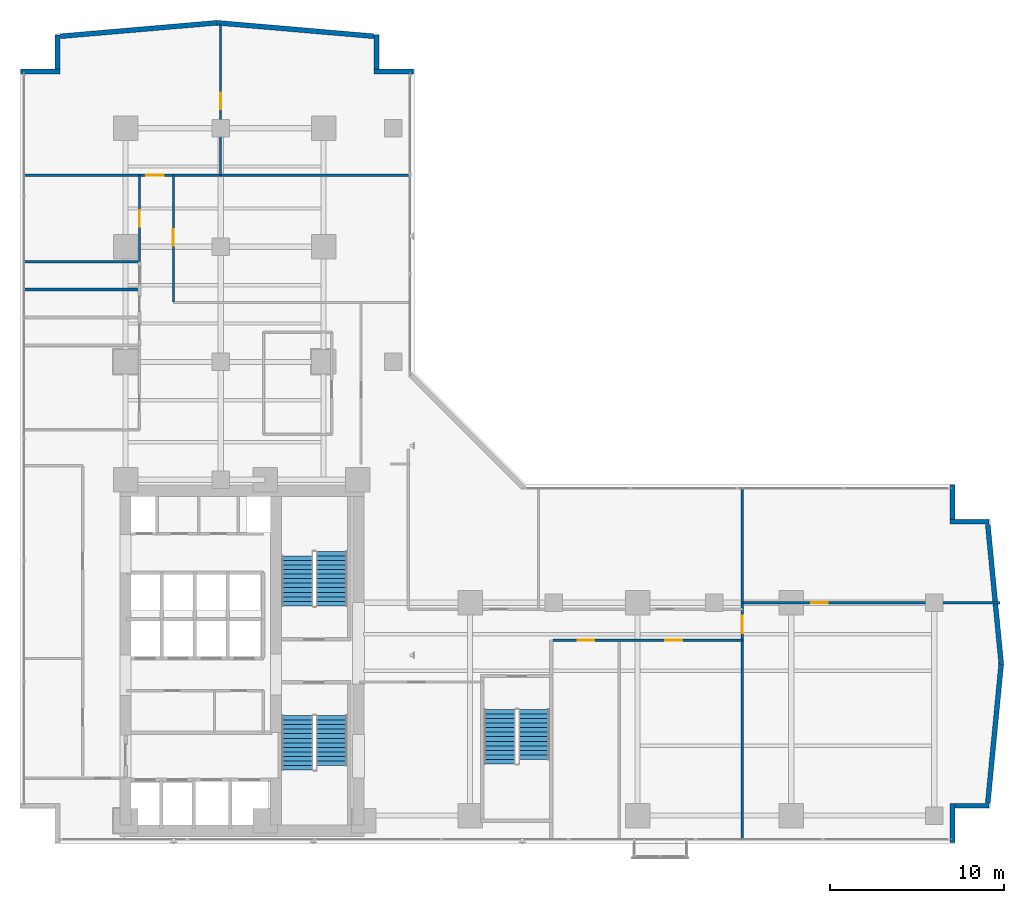
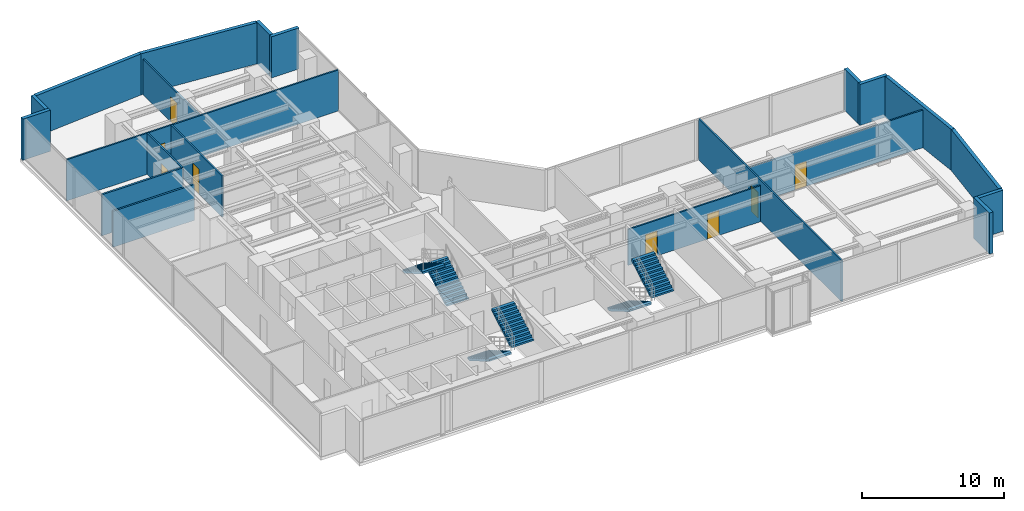
# One storey, part 22 of 28: 21 walls, 8 doors, 6 stair flights, 8 openings, 3 elements without a shape of their own.
"""IFC4 building model written with IfcOpenShell, lengths in metres."""

from ifc_helpers import new_model, si_unit, direction, frame, frame_2d, origin, place, context, subcontext, project, spatial, polyline, rectangle, outline, extrude, material, layer, layer_set, type_object, element, fill, aggregate, save


model = new_model("IFC4")

# Units and contexts
model_context = context("Model", 3, precision=1e-05, world=origin(), true_north=direction((0.0, 1.0)))
body_context = subcontext(model_context, "Body", "Model", "MODEL_VIEW")
ifc_project = project(units=[si_unit("LENGTHUNIT", "METRE"), si_unit("AREAUNIT", "SQUARE_METRE"), si_unit("VOLUMEUNIT", "CUBIC_METRE"), si_unit("PLANEANGLEUNIT", "RADIAN"), si_unit("MASSUNIT", "GRAM", prefix="KILO")], contexts=[model_context])

# Site, building, storey
site_placement = place(None, origin())
site = spatial("IfcSite", under=ifc_project, at=site_placement, CompositionType="ELEMENT")
building_placement = place(site_placement, origin())
building = spatial("IfcBuilding", under=site, at=building_placement, Name="Kolvaren Waterfront Exchange", CompositionType="ELEMENT")
storey_placement = place(building_placement, frame((0.0, 0.0, 133.5)))
storey = spatial("IfcBuildingStorey", under=building, at=storey_placement, Name="L34", CompositionType="ELEMENT", Elevation=133.5)

# Walls
ifc_material_1 = material(Name="Precast concrete C40/50", Category="concrete")
ifc_layer_1 = layer(ifc_material_1, 0.280029296875, Name="Precast concrete C40/50")
ifc_layer_set_1 = layer_set([ifc_layer_1], Name="Precast concrete C40/50")
wall_type_1 = type_object("IfcWallType", Name="ARC-EXT-TERR-280", PredefinedType="SOLIDWALL", material=ifc_layer_set_1)
wall_1_placement = place(storey_placement, frame((54.840087890625, 3.659912109375, 0.0), z_axis=(0.0, 0.0, 1.0), x_axis=(0.0, 1.0, 0.0)))
element("IfcWall", 1, at=wall_1_placement, inside=storey, type_object=wall_type_1, Name="L34 notched corner spandrel pier SE-A", PredefinedType="SOLIDWALL", context=body_context, shape_type="SweptSolid", body=[
    extrude(rectangle(XDim=2.239990234375, YDim=0.280029296875, at=frame_2d((1.1201171875, 0.0))), origin(), (0.0, 0.0, 1.0), 3.5400390625),
])
wall_2_placement = place(storey_placement, frame((54.97998046875, 5.760009765625, 0.0), z_axis=(0.0, 0.0, 1.0), x_axis=(1.0, 0.0, 0.0)))
element("IfcWall", 2, at=wall_2_placement, inside=storey, type_object=wall_type_1, Name="L34 notched corner spandrel pier SE-B", PredefinedType="SOLIDWALL", context=body_context, shape_type="SweptSolid", body=[
    extrude(rectangle(XDim=1.9599609375, YDim=0.280029296875, at=frame_2d((0.97998046875, 0.0))), origin(), (0.0, 0.0, 1.0), 3.5400390625),
])
wall_3_placement = place(storey_placement, frame((54.840087890625, 22.1650390625, 0.0), z_axis=(0.0, 0.0, 1.0), x_axis=(0.0, 1.0, 0.0)))
element("IfcWall", 3, at=wall_3_placement, inside=storey, type_object=wall_type_1, Name="L34 notched corner spandrel pier ENE-A", PredefinedType="SOLIDWALL", context=body_context, shape_type="SweptSolid", body=[
    extrude(rectangle(XDim=1.974853515625, YDim=0.280029296875, at=frame_2d((0.9873046875, 0.0))), origin(), (0.0, 0.0, 1.0), 3.5400390625),
])
for number, where, z_axis, x_axis, name in (
    (4, (54.699951171875, 22.0400390625, 0.0), (0.0, 0.0, 1.0), (1.0, 0.0, 0.0), "L34 notched corner spandrel pier ENE-B"),
    (5, (21.699951171875, 47.840087890625, 0.0), (0.0, 0.0, 1.0), (1.0, 0.0, 0.0), "L34 notched corner spandrel pier NNE-A"),
):
    element("IfcWall", number, at=place(storey_placement, frame(where, z_axis=z_axis, x_axis=x_axis)), inside=storey, type_object=wall_type_1, Name=name, PredefinedType="SOLIDWALL", context=body_context, shape_type="SweptSolid", body=[
        extrude(rectangle(XDim=2.239990234375, YDim=0.280029296875, at=frame_2d((1.1201171875, 0.0))), origin(), (0.0, 0.0, 1.0), 3.5400390625),
    ])
wall_4_placement = place(storey_placement, frame((21.840087890625, 47.97998046875, 0.0), z_axis=(0.0, 0.0, 1.0), x_axis=(0.0, 1.0, 0.0)))
element("IfcWall", 6, at=wall_4_placement, inside=storey, type_object=wall_type_1, Name="L34 notched corner spandrel pier NNE-B", PredefinedType="SOLIDWALL", context=body_context, shape_type="SweptSolid", body=[
    extrude(rectangle(XDim=1.9599609375, YDim=0.280029296875, at=frame_2d((0.97998046875, 0.0))), origin(), (0.0, 0.0, 1.0), 3.5400390625),
])
wall_5_placement = place(storey_placement, frame((1.4599609375, 47.840087890625, 0.0), z_axis=(0.0, 0.0, 1.0), x_axis=(1.0, 0.0, 0.0)))
element("IfcWall", 7, at=wall_5_placement, inside=storey, type_object=wall_type_1, Name="L34 notched corner spandrel pier NW-A", PredefinedType="SOLIDWALL", context=body_context, shape_type="SweptSolid", body=[
    extrude(rectangle(XDim=2.239990234375, YDim=0.280029296875, at=frame_2d((1.1201171875, 0.0))), origin(), (0.0, 0.0, 1.0), 3.5400390625),
])
wall_6_placement = place(storey_placement, frame((3.56005859375, 47.97998046875, 0.0), z_axis=(0.0, 0.0, 1.0), x_axis=(0.0, 1.0, 0.0)))
element("IfcWall", 8, at=wall_6_placement, inside=storey, type_object=wall_type_1, Name="L34 notched corner spandrel pier NW-B", PredefinedType="SOLIDWALL", context=body_context, shape_type="SweptSolid", body=[
    extrude(rectangle(XDim=1.9599609375, YDim=0.280029296875, at=frame_2d((0.97998046875, 0.0))), origin(), (0.0, 0.0, 1.0), 3.5400390625),
])
for number, where, z_axis, x_axis, name in (
    (9, (56.869384765625, 5.9140625, 0.0), (0.0, 0.0, 1.0), (0.095969995245, 0.995384227328, 0.0), "L34 east prow faceted facade wall 1"),
    (10, (57.638916015625, 13.904541015625, 0.0), (0.0, 0.0, 1.0), (-0.095969995245, 0.995384227328, 0.0), "L34 east prow faceted facade wall 2"),
):
    element("IfcWall", number, at=place(storey_placement, frame(where, z_axis=z_axis, x_axis=x_axis)), inside=storey, type_object=wall_type_1, Name=name, PredefinedType="SOLIDWALL", context=body_context, shape_type="SweptSolid", body=[
        extrude(rectangle(XDim=8.0185546875, YDim=0.280029296875, at=frame_2d((4.00927734375, 0.0))), origin(), (0.0, 0.0, 1.0), 3.5400390625),
    ])
for number, where, z_axis, x_axis, name in (
    (11, (21.6875, 49.8662109375, 0.0), (0.0, 0.0, 1.0), (-0.996319339243, 0.085719159179, 0.0), "L34 north prow faceted facade wall 1"),
    (12, (12.69384765625, 50.638916015625, 0.0), (0.0, 0.0, 1.0), (-0.996319339243, -0.085719159179, 0.0), "L34 north prow faceted facade wall 2"),
):
    element("IfcWall", number, at=place(storey_placement, frame(where, z_axis=z_axis, x_axis=x_axis)), inside=storey, type_object=wall_type_1, Name=name, PredefinedType="SOLIDWALL", context=body_context, shape_type="SweptSolid", body=[
        extrude(rectangle(XDim=9.014404296875, YDim=0.280029296875, at=frame_2d((4.50732421875, 0.0))), origin(), (0.0, 0.0, 1.0), 3.5400390625),
    ])

# Wall, openings, doors
ifc_material_2 = material(Name="Acoustic gypsum steel stud", Category="steel")
ifc_layer_2 = layer(ifc_material_2, 0.125, Name="Acoustic gypsum steel stud")
ifc_layer_set_2 = layer_set([ifc_layer_2], Name="Acoustic gypsum steel stud")
wall_type_2 = type_object("IfcWallType", Name="ARC-PART-125", PredefinedType="PARTITIONING", material=ifc_layer_set_2)
wall_7_placement = place(storey_placement, frame((31.949951171875, 15.25, 0.0), z_axis=(0.0, 0.0, 1.0), x_axis=(1.0, 0.0, 0.0)))
wall_7 = element("IfcWall", 13, at=wall_7_placement, inside=storey, type_object=wall_type_2, Name="L34 interior wall PW-L34-ES-CORR", PredefinedType="PARTITIONING", context=body_context, shape_type="SweptSolid", body=[
    extrude(rectangle(XDim=10.85009765625, YDim=0.125, at=frame_2d((5.425048828125, 0.0))), origin(), (0.0, 0.0, 1.0), 3.090087890625),
])
opening_1_placement = place(wall_7_placement, frame((1.425048828125, 0.0, 0.0)))
opening_1 = element("IfcOpeningElement", 14, at=opening_1_placement, cuts=wall_7, Name="Opening D02", PredefinedType="OPENING", context=body_context, shape_type="SweptSolid", body=[
    extrude(rectangle(XDim=0.949951171875, YDim=2.14990234375, at=frame_2d((0.47509765625, 1.074951171875))), frame((0.0, 0.072509765625, 0.0), z_axis=(0.0, -1.0, 0.0), x_axis=(1.0, 0.0, 0.0)), (0.0, 0.0, 1.0), 0.14501953125),
])
opening_2_placement = place(wall_7_placement, frame((6.4453125, 0.0, 0.0)))
opening_2 = element("IfcOpeningElement", 15, at=opening_2_placement, cuts=wall_7, Name="Opening D02", PredefinedType="OPENING", context=body_context, shape_type="SweptSolid", body=[
    extrude(rectangle(XDim=0.949951171875, YDim=2.14990234375, at=frame_2d((0.47509765625, 1.074951171875))), frame((0.0, 0.072509765625, 0.0), z_axis=(0.0, -1.0, 0.0), x_axis=(1.0, 0.0, 0.0)), (0.0, 0.0, 1.0), 0.14501953125),
])
ifc_material_3 = material(Name="Oak veneer acoustic timber", Category="wood")
door_type_1 = type_object("IfcDoorType", Name="ARC-DR-950", OperationType="NOTDEFINED", PredefinedType="DOOR", material=ifc_material_3)
door_1_placement = place(opening_1_placement, origin())
door_1 = element("IfcDoor", 16, at=door_1_placement, inside=storey, type_object=door_type_1, Name="L34 door DR-L34-ES-D-1 (D02)", OperationType="SINGLE_SWING_LEFT", OverallHeight=2.14990234375, OverallWidth=0.949951171875, PredefinedType="DOOR", context=body_context, shape_type="SweptSolid", body=[
    extrude(rectangle(XDim=0.949951171875, YDim=2.14990234375, at=frame_2d((0.47509765625, 1.074951171875))), frame((0.0, 0.02490234375, 0.0), z_axis=(0.0, -1.0, 0.0), x_axis=(1.0, 0.0, 0.0)), (0.0, 0.0, 1.0), 0.050048828125),
])
fill(opening_1, door_1)
door_2_placement = place(opening_2_placement, origin())
door_2 = element("IfcDoor", 17, at=door_2_placement, inside=storey, type_object=door_type_1, Name="L34 door DR-L34-ES-D-2 (D02)", OperationType="SINGLE_SWING_RIGHT", OverallHeight=2.14990234375, OverallWidth=0.949951171875, PredefinedType="DOOR", context=body_context, shape_type="SweptSolid", body=[
    extrude(rectangle(XDim=0.949951171875, YDim=2.14990234375, at=frame_2d((0.47509765625, 1.074951171875))), frame((0.0, 0.02490234375, 0.0), z_axis=(0.0, -1.0, 0.0), x_axis=(1.0, 0.0, 0.0)), (0.0, 0.0, 1.0), 0.050048828125),
])
fill(opening_2, door_2)

# Wall, opening, door
wall_8_placement = place(storey_placement, frame((42.800048828125, 3.840087890625, 0.0), z_axis=(0.0, 0.0, 1.0), x_axis=(0.0, 1.0, 0.0)))
wall_8 = element("IfcWall", 18, at=wall_8_placement, inside=storey, type_object=wall_type_2, Name="L34 interior wall PW-L34-ETIP-W", PredefinedType="PARTITIONING", context=body_context, shape_type="SweptSolid", body=[
    extrude(rectangle(XDim=20.119873046875, YDim=0.125, at=frame_2d((10.06005859375, 0.0))), origin(), (0.0, 0.0, 1.0), 3.5400390625),
])
opening_3_placement = place(wall_8_placement, frame((11.800048828125, 0.0, 0.0)))
opening_3 = element("IfcOpeningElement", 19, at=opening_3_placement, cuts=wall_8, Name="Opening D03", PredefinedType="OPENING", context=body_context, shape_type="SweptSolid", body=[
    extrude(rectangle(XDim=1.0, YDim=2.199951171875, at=frame_2d((0.5, 1.10009765625))), frame((0.0, 0.072509765625, 0.0), z_axis=(0.0, -1.0, 0.0), x_axis=(1.0, 0.0, 0.0)), (0.0, 0.0, 1.0), 0.14501953125),
])
ifc_material_4 = material(Name="Oak veneer accessible timber", Category="wood")
door_type_2 = type_object("IfcDoorType", Name="ARC-DR-1000", OperationType="NOTDEFINED", PredefinedType="DOOR", material=ifc_material_4)
door_3_placement = place(opening_3_placement, origin())
door_3 = element("IfcDoor", 20, at=door_3_placement, inside=storey, type_object=door_type_2, Name="L34 door DR-L34-ETIP1-D (D03)", OperationType="SINGLE_SWING_LEFT", OverallHeight=2.199951171875, OverallWidth=1.0, PredefinedType="DOOR", context=body_context, shape_type="SweptSolid", body=[
    extrude(rectangle(XDim=1.0, YDim=2.199951171875, at=frame_2d((0.5, 1.10009765625))), frame((0.0, 0.02490234375, 0.0), z_axis=(0.0, -1.0, 0.0), x_axis=(1.0, 0.0, 0.0)), (0.0, 0.0, 1.0), 0.050048828125),
])
fill(opening_3, door_3)

wall_9_placement = place(storey_placement, frame((42.800048828125, 17.39990234375, 0.0), z_axis=(0.0, 0.0, 1.0), x_axis=(1.0, 0.0, 0.0)))
wall_9 = element("IfcWall", 21, at=wall_9_placement, inside=storey, type_object=wall_type_2, Name="L34 interior wall PW-L34-ETIP-MID", PredefinedType="PARTITIONING", context=body_context, shape_type="SweptSolid", body=[
    extrude(rectangle(XDim=14.760009765625, YDim=0.125, at=frame_2d((7.3798828125, 0.0))), origin(), (0.0, 0.0, 1.0), 3.239990234375),
])
opening_4_placement = place(wall_9_placement, frame((3.956298828125, 0.0, 0.0)))
opening_4 = element("IfcOpeningElement", 22, at=opening_4_placement, cuts=wall_9, Name="Opening D02", PredefinedType="OPENING", context=body_context, shape_type="SweptSolid", body=[
    extrude(rectangle(XDim=0.949951171875, YDim=2.14990234375, at=frame_2d((0.47509765625, 1.074951171875))), frame((0.0, 0.072509765625, 0.0), z_axis=(0.0, -1.0, 0.0), x_axis=(1.0, 0.0, 0.0)), (0.0, 0.0, 1.0), 0.14501953125),
])
door_4_placement = place(opening_4_placement, origin())
door_4 = element("IfcDoor", 23, at=door_4_placement, inside=storey, type_object=door_type_1, Name="L34 door DR-L34-ETIP2-D (D02)", OperationType="SINGLE_SWING_RIGHT", OverallHeight=2.14990234375, OverallWidth=0.949951171875, PredefinedType="DOOR", context=body_context, shape_type="SweptSolid", body=[
    extrude(rectangle(XDim=0.949951171875, YDim=2.14990234375, at=frame_2d((0.47509765625, 1.074951171875))), frame((0.0, 0.02490234375, 0.0), z_axis=(0.0, -1.0, 0.0), x_axis=(1.0, 0.0, 0.0)), (0.0, 0.0, 1.0), 0.050048828125),
])
fill(opening_4, door_4)

wall_10_placement = place(storey_placement, frame((8.25, 36.949951171875, 0.0), z_axis=(0.0, 0.0, 1.0), x_axis=(0.0, 1.0, 0.0)))
wall_10 = element("IfcWall", 24, at=wall_10_placement, inside=storey, type_object=wall_type_2, Name="L34 interior wall PW-L34-NW-CORR", PredefinedType="PARTITIONING", context=body_context, shape_type="SweptSolid", body=[
    extrude(rectangle(XDim=4.949951171875, YDim=0.125, at=frame_2d((2.47509765625, 0.0))), origin(), (0.0, 0.0, 1.0), 3.5400390625),
])
opening_5_placement = place(wall_10_placement, frame((2.0, 0.0, 0.0)))
opening_5 = element("IfcOpeningElement", 25, at=opening_5_placement, cuts=wall_10, Name="Opening D02", PredefinedType="OPENING", context=body_context, shape_type="SweptSolid", body=[
    extrude(rectangle(XDim=0.949951171875, YDim=2.14990234375, at=frame_2d((0.47509765625, 1.074951171875))), frame((0.0, 0.072509765625, 0.0), z_axis=(0.0, -1.0, 0.0), x_axis=(1.0, 0.0, 0.0)), (0.0, 0.0, 1.0), 0.14501953125),
])
door_5_placement = place(opening_5_placement, origin())
door_5 = element("IfcDoor", 26, at=door_5_placement, inside=storey, type_object=door_type_1, Name="L34 door DR-L34-NW-D-1 (D02)", OperationType="SINGLE_SWING_LEFT", OverallHeight=2.14990234375, OverallWidth=0.949951171875, PredefinedType="DOOR", context=body_context, shape_type="SweptSolid", body=[
    extrude(rectangle(XDim=0.949951171875, YDim=2.14990234375, at=frame_2d((0.47509765625, 1.074951171875))), frame((0.0, 0.02490234375, 0.0), z_axis=(0.0, -1.0, 0.0), x_axis=(1.0, 0.0, 0.0)), (0.0, 0.0, 1.0), 0.050048828125),
])
fill(opening_5, door_5)

wall_11_placement = place(storey_placement, frame((1.639892578125, 41.89990234375, 0.0), z_axis=(0.0, 0.0, 1.0), x_axis=(1.0, 0.0, 0.0)))
wall_11 = element("IfcWall", 27, at=wall_11_placement, inside=storey, type_object=wall_type_2, Name="L34 interior wall PW-L34-NTIP-S", PredefinedType="PARTITIONING", context=body_context, shape_type="SweptSolid", body=[
    extrude(rectangle(XDim=22.1201171875, YDim=0.125, at=frame_2d((11.06005859375, 0.0))), origin(), (0.0, 0.0, 1.0), 3.5400390625),
])
opening_6_placement = place(wall_11_placement, frame((7.010009765625, 0.0, 0.0)))
opening_6 = element("IfcOpeningElement", 28, at=opening_6_placement, cuts=wall_11, Name="Opening D03", PredefinedType="OPENING", context=body_context, shape_type="SweptSolid", body=[
    extrude(rectangle(XDim=1.0, YDim=2.199951171875, at=frame_2d((0.5, 1.10009765625))), frame((0.0, 0.072509765625, 0.0), z_axis=(0.0, -1.0, 0.0), x_axis=(1.0, 0.0, 0.0)), (0.0, 0.0, 1.0), 0.14501953125),
])
door_6_placement = place(opening_6_placement, origin())
door_6 = element("IfcDoor", 29, at=door_6_placement, inside=storey, type_object=door_type_2, Name="L34 door DR-L34-NTIPW-D (D03)", OperationType="SINGLE_SWING_RIGHT", OverallHeight=2.199951171875, OverallWidth=1.0, PredefinedType="DOOR", context=body_context, shape_type="SweptSolid", body=[
    extrude(rectangle(XDim=1.0, YDim=2.199951171875, at=frame_2d((0.5, 1.10009765625))), frame((0.0, 0.02490234375, 0.0), z_axis=(0.0, -1.0, 0.0), x_axis=(1.0, 0.0, 0.0)), (0.0, 0.0, 1.0), 0.050048828125),
])
fill(opening_6, door_6)

wall_12_placement = place(storey_placement, frame((12.89990234375, 41.89990234375, 0.0), z_axis=(0.0, 0.0, 1.0), x_axis=(0.0, 1.0, 0.0)))
wall_12 = element("IfcWall", 30, at=wall_12_placement, inside=storey, type_object=wall_type_2, Name="L34 interior wall PW-L34-NTIP-DIV", PredefinedType="PARTITIONING", context=body_context, shape_type="SweptSolid", body=[
    extrude(rectangle(XDim=8.66015625, YDim=0.125, at=frame_2d((4.330078125, 0.0))), origin(), (0.0, 0.0, 1.0), 3.0400390625),
])
opening_7_placement = place(wall_12_placement, frame((3.77880859375, 0.0, 0.0)))
opening_7 = element("IfcOpeningElement", 31, at=opening_7_placement, cuts=wall_12, Name="Opening D02", PredefinedType="OPENING", context=body_context, shape_type="SweptSolid", body=[
    extrude(rectangle(XDim=0.949951171875, YDim=2.14990234375, at=frame_2d((0.47509765625, 1.074951171875))), frame((0.0, 0.072509765625, 0.0), z_axis=(0.0, -1.0, 0.0), x_axis=(1.0, 0.0, 0.0)), (0.0, 0.0, 1.0), 0.14501953125),
])
door_7_placement = place(opening_7_placement, origin())
door_7 = element("IfcDoor", 32, at=door_7_placement, inside=storey, type_object=door_type_1, Name="L34 door DR-L34-NTIPE-D (D02)", OperationType="SINGLE_SWING_LEFT", OverallHeight=2.14990234375, OverallWidth=0.949951171875, PredefinedType="DOOR", context=body_context, shape_type="SweptSolid", body=[
    extrude(rectangle(XDim=0.949951171875, YDim=2.14990234375, at=frame_2d((0.47509765625, 1.074951171875))), frame((0.0, 0.02490234375, 0.0), z_axis=(0.0, -1.0, 0.0), x_axis=(1.0, 0.0, 0.0)), (0.0, 0.0, 1.0), 0.050048828125),
])
fill(opening_7, door_7)

wall_13_placement = place(storey_placement, frame((10.18994140625, 34.64990234375, 0.0), z_axis=(0.0, 0.0, 1.0), x_axis=(0.0, 1.0, 0.0)))
wall_13 = element("IfcWall", 33, at=wall_13_placement, inside=storey, type_object=wall_type_2, Name="L34 interior wall PW-L34-NE-CORR", PredefinedType="PARTITIONING", context=body_context, shape_type="SweptSolid", body=[
    extrude(rectangle(XDim=7.25, YDim=0.125, at=frame_2d((3.625, 0.0))), origin(), (0.0, 0.0, 1.0), 3.5400390625),
])
opening_8_placement = place(wall_13_placement, frame((3.220458984375, 0.0, 0.0)))
opening_8 = element("IfcOpeningElement", 34, at=opening_8_placement, cuts=wall_13, Name="Opening D02", PredefinedType="OPENING", context=body_context, shape_type="SweptSolid", body=[
    extrude(rectangle(XDim=0.949951171875, YDim=2.14990234375, at=frame_2d((0.47509765625, 1.074951171875))), frame((0.0, 0.072509765625, 0.0), z_axis=(0.0, -1.0, 0.0), x_axis=(1.0, 0.0, 0.0)), (0.0, 0.0, 1.0), 0.14501953125),
])
door_8_placement = place(opening_8_placement, origin())
door_8 = element("IfcDoor", 35, at=door_8_placement, inside=storey, type_object=door_type_1, Name="L34 door DR-L34-NE-D-1 (D02)", OperationType="SINGLE_SWING_RIGHT", OverallHeight=2.14990234375, OverallWidth=0.949951171875, PredefinedType="DOOR", context=body_context, shape_type="SweptSolid", body=[
    extrude(rectangle(XDim=0.949951171875, YDim=2.14990234375, at=frame_2d((0.47509765625, 1.074951171875))), frame((0.0, 0.02490234375, 0.0), z_axis=(0.0, -1.0, 0.0), x_axis=(1.0, 0.0, 0.0)), (0.0, 0.0, 1.0), 0.050048828125),
])
fill(opening_8, door_8)

# Walls
ifc_material_5 = material(Name="Moisture-resistant gypsum stud")
ifc_layer_3 = layer(ifc_material_5, 0.14990234375, Name="Moisture-resistant gypsum stud")
ifc_layer_set_3 = layer_set([ifc_layer_3], Name="Moisture-resistant gypsum stud")
wall_type_3 = type_object("IfcWallType", Name="ARC-PLUMB-150", PredefinedType="PLUMBINGWALL", material=ifc_layer_set_3)
wall_14_placement = place(storey_placement, frame((1.639892578125, 35.35009765625, 0.0), z_axis=(0.0, 0.0, 1.0), x_axis=(1.0, 0.0, 0.0)))
element("IfcWall", 36, at=wall_14_placement, inside=storey, type_object=wall_type_3, Name="L34 interior wall PW-L34-WC-2", PredefinedType="PLUMBINGWALL", context=body_context, shape_type="SweptSolid", body=[
    extrude(rectangle(XDim=6.610107421875, YDim=0.14990234375, at=frame_2d((3.30517578125, 0.0))), origin(), (0.0, 0.0, 1.0), 3.090087890625),
])
wall_15_placement = place(storey_placement, frame((1.639892578125, 36.949951171875, 0.0), z_axis=(0.0, 0.0, 1.0), x_axis=(1.0, 0.0, 0.0)))
element("IfcWall", 37, at=wall_15_placement, inside=storey, type_object=wall_type_3, Name="L34 interior wall PW-L34-WC-3", PredefinedType="PLUMBINGWALL", context=body_context, shape_type="SweptSolid", body=[
    extrude(rectangle(XDim=6.610107421875, YDim=0.14990234375, at=frame_2d((3.30517578125, 0.0))), origin(), (0.0, 0.0, 1.0), 3.5400390625),
])

# Stair, stair flights
ifc_material_6 = material(Name="Concrete C40/50", Category="concrete")
stair_type = type_object("IfcStairType", Name="ARC-STAIR-3800", PredefinedType="HALF_TURN_STAIR", material=ifc_material_6)
stair_1_placement = place(storey_placement, origin())
stair_1 = element("IfcStair", 38, at=stair_1_placement, inside=storey, type_object=stair_type, Name="L34 Smoke-proof exit stair ST1", PredefinedType="HALF_TURN_STAIR")
stair_flight_type = type_object("IfcStairFlightType", Name="ARC-FLIGHT-3800", PredefinedType="STRAIGHT", material=ifc_material_6)
stair_flight_1_placement = place(storey_placement, frame((17.300048828125, 10.929931640625, 0.0), z_axis=(0.0, 0.0, 1.0), x_axis=(0.0, -1.0, 0.0)))
stair_flight_1 = element("IfcStairFlight", 39, at=stair_flight_1_placement, type_object=stair_flight_type, Name="ST1 flight 1", NumberOfRisers=13, NumberOfTreads=12, PredefinedType="STRAIGHT", RiserHeight=0.152, TreadLength=0.26, context=body_context, shape_type="SweptSolid", body=[
    extrude(outline(polyline([(0.0, 0.0), (0.0, 0.152099609375), (0.260009765625, 0.152099609375), (0.260009765625, 0.303955078125), (0.52001953125, 0.303955078125), (0.52001953125, 0.4560546875), (0.780029296875, 0.4560546875), (0.780029296875, 0.60791015625), (1.0400390625, 0.60791015625), (1.0400390625, 0.760009765625), (1.300048828125, 0.760009765625), (1.300048828125, 0.912109375), (1.56005859375, 0.912109375), (1.56005859375, 1.06396484375), (1.820068359375, 1.06396484375), (1.820068359375, 1.216064453125), (2.080078125, 1.216064453125), (2.080078125, 1.367919921875), (2.340087890625, 1.367919921875), (2.340087890625, 1.52001953125), (2.60009765625, 1.52001953125), (2.60009765625, 1.672119140625), (2.860107421875, 1.672119140625), (2.860107421875, 1.823974609375), (3.1201171875, 1.823974609375), (3.1201171875, 1.97607421875), (3.1201171875, 1.650390625), (0.297119140625, 0.0), (0.0, 0.0)])), frame((0.0, 0.89990234375, 0.0), z_axis=(0.0, -1.0, 0.0), x_axis=(1.0, 0.0, 0.0)), (0.0, 0.0, 1.0), 1.800048828125),
])
stair_flight_2_placement = place(storey_placement, frame((19.260009765625, 8.070068359375, 1.97607421875), z_axis=(0.0, 0.0, 1.0), x_axis=(0.0, 1.0, 0.0)))
stair_flight_2 = element("IfcStairFlight", 40, at=stair_flight_2_placement, type_object=stair_flight_type, Name="ST1 flight 2", NumberOfRisers=12, NumberOfTreads=11, PredefinedType="STRAIGHT", RiserHeight=0.152, TreadLength=0.26, context=body_context, shape_type="SweptSolid", body=[
    extrude(outline(polyline([(0.0, 0.0), (0.0, 0.152099609375), (0.260009765625, 0.152099609375), (0.260009765625, 0.303955078125), (0.52001953125, 0.303955078125), (0.52001953125, 0.4560546875), (0.780029296875, 0.4560546875), (0.780029296875, 0.60791015625), (1.0400390625, 0.60791015625), (1.0400390625, 0.760009765625), (1.300048828125, 0.760009765625), (1.300048828125, 0.912109375), (1.56005859375, 0.912109375), (1.56005859375, 1.06396484375), (1.820068359375, 1.06396484375), (1.820068359375, 1.216064453125), (2.080078125, 1.216064453125), (2.080078125, 1.367919921875), (2.340087890625, 1.367919921875), (2.340087890625, 1.52001953125), (2.60009765625, 1.52001953125), (2.60009765625, 1.672119140625), (2.860107421875, 1.672119140625), (2.860107421875, 1.823974609375), (2.860107421875, 1.498291015625), (0.297119140625, 0.0), (0.0, 0.0)])), frame((0.0, 0.89990234375, 0.0), z_axis=(0.0, -1.0, 0.0), x_axis=(1.0, 0.0, 0.0)), (0.0, 0.0, 1.0), 1.800048828125),
])
aggregate(stair_1, [stair_flight_1, stair_flight_2])

stair_2_placement = place(storey_placement, origin())
stair_2 = element("IfcStair", 41, at=stair_2_placement, inside=storey, type_object=stair_type, Name="L34 Smoke-proof exit stair ST2", PredefinedType="HALF_TURN_STAIR")
stair_flight_3_placement = place(storey_placement, frame((19.260009765625, 17.219970703125, 0.0), z_axis=(0.0, 0.0, 1.0), x_axis=(0.0, 1.0, 0.0)))
stair_flight_3 = element("IfcStairFlight", 42, at=stair_flight_3_placement, type_object=stair_flight_type, Name="ST2 flight 1", NumberOfRisers=13, NumberOfTreads=12, PredefinedType="STRAIGHT", RiserHeight=0.152, TreadLength=0.26, context=body_context, shape_type="SweptSolid", body=[
    extrude(outline(polyline([(0.0, 0.0), (0.0, 0.152099609375), (0.260009765625, 0.152099609375), (0.260009765625, 0.303955078125), (0.52001953125, 0.303955078125), (0.52001953125, 0.4560546875), (0.780029296875, 0.4560546875), (0.780029296875, 0.60791015625), (1.0400390625, 0.60791015625), (1.0400390625, 0.760009765625), (1.300048828125, 0.760009765625), (1.300048828125, 0.912109375), (1.56005859375, 0.912109375), (1.56005859375, 1.06396484375), (1.820068359375, 1.06396484375), (1.820068359375, 1.216064453125), (2.080078125, 1.216064453125), (2.080078125, 1.367919921875), (2.340087890625, 1.367919921875), (2.340087890625, 1.52001953125), (2.60009765625, 1.52001953125), (2.60009765625, 1.672119140625), (2.860107421875, 1.672119140625), (2.860107421875, 1.823974609375), (3.1201171875, 1.823974609375), (3.1201171875, 1.97607421875), (3.1201171875, 1.650390625), (0.297119140625, 0.0), (0.0, 0.0)])), frame((0.0, 0.89990234375, 0.0), z_axis=(0.0, -1.0, 0.0), x_axis=(1.0, 0.0, 0.0)), (0.0, 0.0, 1.0), 1.800048828125),
])
stair_flight_4_placement = place(storey_placement, frame((17.300048828125, 20.080078125, 1.97607421875), z_axis=(0.0, 0.0, 1.0), x_axis=(0.0, -1.0, 0.0)))
stair_flight_4 = element("IfcStairFlight", 43, at=stair_flight_4_placement, type_object=stair_flight_type, Name="ST2 flight 2", NumberOfRisers=12, NumberOfTreads=11, PredefinedType="STRAIGHT", RiserHeight=0.152, TreadLength=0.26, context=body_context, shape_type="SweptSolid", body=[
    extrude(outline(polyline([(0.0, 0.0), (0.0, 0.152099609375), (0.260009765625, 0.152099609375), (0.260009765625, 0.303955078125), (0.52001953125, 0.303955078125), (0.52001953125, 0.4560546875), (0.780029296875, 0.4560546875), (0.780029296875, 0.60791015625), (1.0400390625, 0.60791015625), (1.0400390625, 0.760009765625), (1.300048828125, 0.760009765625), (1.300048828125, 0.912109375), (1.56005859375, 0.912109375), (1.56005859375, 1.06396484375), (1.820068359375, 1.06396484375), (1.820068359375, 1.216064453125), (2.080078125, 1.216064453125), (2.080078125, 1.367919921875), (2.340087890625, 1.367919921875), (2.340087890625, 1.52001953125), (2.60009765625, 1.52001953125), (2.60009765625, 1.672119140625), (2.860107421875, 1.672119140625), (2.860107421875, 1.823974609375), (2.860107421875, 1.498291015625), (0.297119140625, 0.0), (0.0, 0.0)])), frame((0.0, 0.89990234375, 0.0), z_axis=(0.0, -1.0, 0.0), x_axis=(1.0, 0.0, 0.0)), (0.0, 0.0, 1.0), 1.800048828125),
])
aggregate(stair_2, [stair_flight_3, stair_flight_4])

stair_3_placement = place(storey_placement, origin())
stair_3 = element("IfcStair", 44, at=stair_3_placement, inside=storey, type_object=stair_type, Name="L34 Exit stair ST3", PredefinedType="HALF_TURN_STAIR")
stair_flight_5_placement = place(storey_placement, frame((28.89990234375, 11.280029296875, 0.0), z_axis=(0.0, 0.0, 1.0), x_axis=(0.0, -1.0, 0.0)))
stair_flight_5 = element("IfcStairFlight", 45, at=stair_flight_5_placement, type_object=stair_flight_type, Name="ST3 flight 1", NumberOfRisers=13, NumberOfTreads=12, PredefinedType="STRAIGHT", RiserHeight=0.152, TreadLength=0.26, context=body_context, shape_type="SweptSolid", body=[
    extrude(outline(polyline([(0.0, 0.0), (0.0, 0.152099609375), (0.260009765625, 0.152099609375), (0.260009765625, 0.303955078125), (0.52001953125, 0.303955078125), (0.52001953125, 0.4560546875), (0.780029296875, 0.4560546875), (0.780029296875, 0.60791015625), (1.0400390625, 0.60791015625), (1.0400390625, 0.760009765625), (1.300048828125, 0.760009765625), (1.300048828125, 0.912109375), (1.56005859375, 0.912109375), (1.56005859375, 1.06396484375), (1.820068359375, 1.06396484375), (1.820068359375, 1.216064453125), (2.080078125, 1.216064453125), (2.080078125, 1.367919921875), (2.340087890625, 1.367919921875), (2.340087890625, 1.52001953125), (2.60009765625, 1.52001953125), (2.60009765625, 1.672119140625), (2.860107421875, 1.672119140625), (2.860107421875, 1.823974609375), (3.1201171875, 1.823974609375), (3.1201171875, 1.97607421875), (3.1201171875, 1.650390625), (0.297119140625, 0.0), (0.0, 0.0)])), frame((0.0, 0.89990234375, 0.0), z_axis=(0.0, -1.0, 0.0), x_axis=(1.0, 0.0, 0.0)), (0.0, 0.0, 1.0), 1.800048828125),
])
stair_flight_6_placement = place(storey_placement, frame((30.860107421875, 8.419921875, 1.97607421875), z_axis=(0.0, 0.0, 1.0), x_axis=(0.0, 1.0, 0.0)))
stair_flight_6 = element("IfcStairFlight", 46, at=stair_flight_6_placement, type_object=stair_flight_type, Name="ST3 flight 2", NumberOfRisers=12, NumberOfTreads=11, PredefinedType="STRAIGHT", RiserHeight=0.152, TreadLength=0.26, context=body_context, shape_type="SweptSolid", body=[
    extrude(outline(polyline([(0.0, 0.0), (0.0, 0.152099609375), (0.260009765625, 0.152099609375), (0.260009765625, 0.303955078125), (0.52001953125, 0.303955078125), (0.52001953125, 0.4560546875), (0.780029296875, 0.4560546875), (0.780029296875, 0.60791015625), (1.0400390625, 0.60791015625), (1.0400390625, 0.760009765625), (1.300048828125, 0.760009765625), (1.300048828125, 0.912109375), (1.56005859375, 0.912109375), (1.56005859375, 1.06396484375), (1.820068359375, 1.06396484375), (1.820068359375, 1.216064453125), (2.080078125, 1.216064453125), (2.080078125, 1.367919921875), (2.340087890625, 1.367919921875), (2.340087890625, 1.52001953125), (2.60009765625, 1.52001953125), (2.60009765625, 1.672119140625), (2.860107421875, 1.672119140625), (2.860107421875, 1.823974609375), (2.860107421875, 1.498291015625), (0.297119140625, 0.0), (0.0, 0.0)])), frame((0.0, 0.89990234375, 0.0), z_axis=(0.0, -1.0, 0.0), x_axis=(1.0, 0.0, 0.0)), (0.0, 0.0, 1.0), 1.800048828125),
])
aggregate(stair_3, [stair_flight_5, stair_flight_6])

save(model, "model.ifc")
